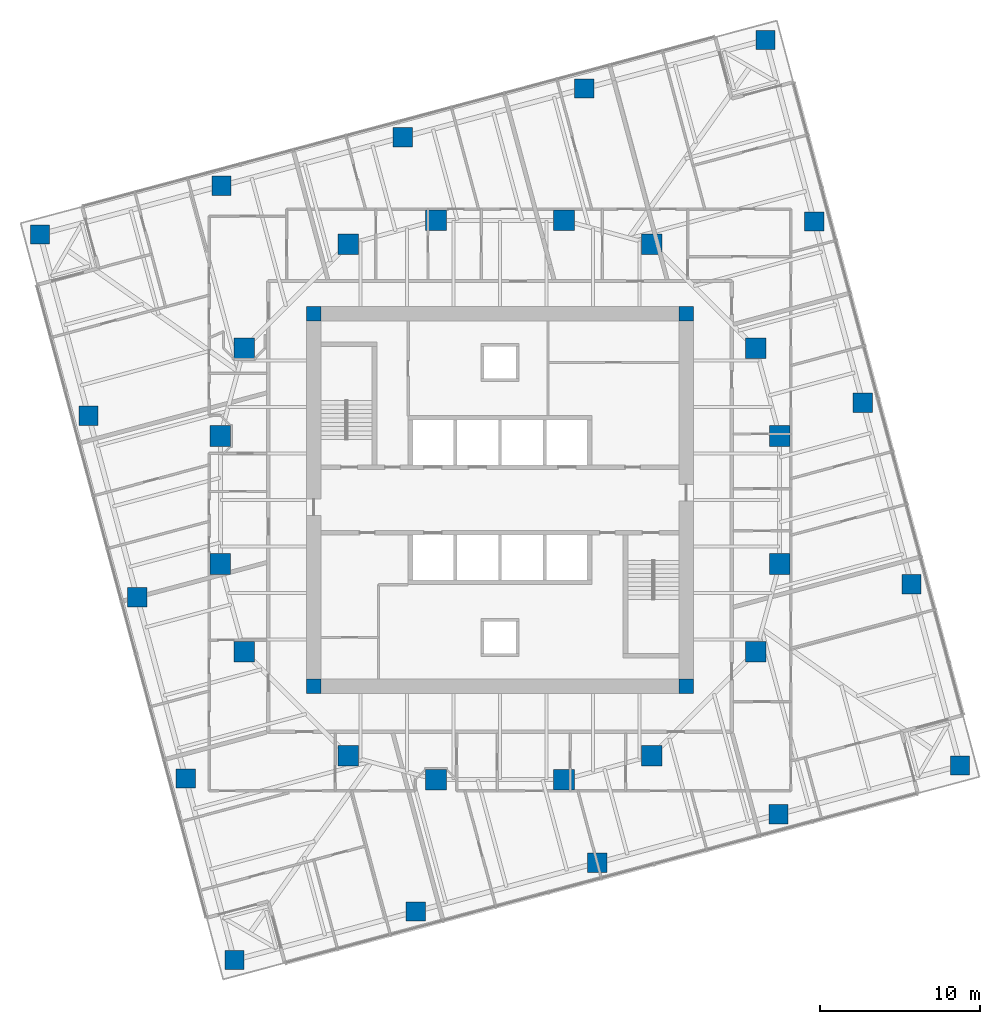
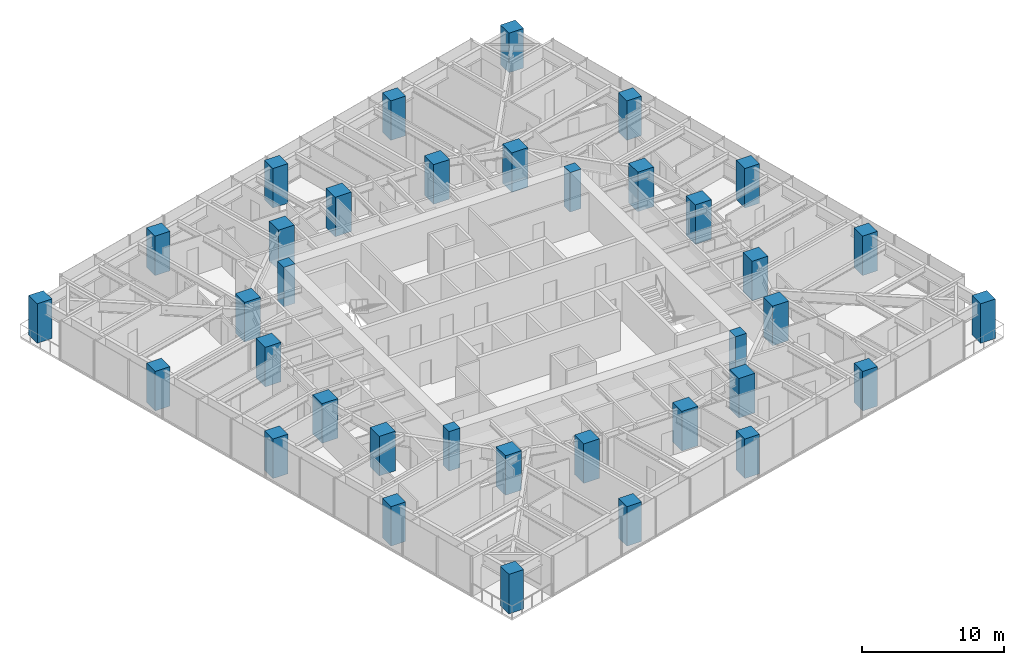
# One storey, part 1 of 15: 36 columns.
"""IFC4 building model written with IfcOpenShell, lengths in metres."""

import ifcopenshell
import ifcopenshell.guid

model = None  # the IFC model being written
_history = None  # IfcOwnerHistory: only IFC2X3 demands one
_inside = {}  # id of a spatial element -> (the spatial element, [elements in it])
_under = {}  # id of a project, library or spatial element -> (it, [spatial elements below it])
_declared = {}  # id of a project -> (the project, [libraries it declares])
_typed = {}  # id of a type object -> (the type object, [elements of that type])
_made_of = {}  # id of a material, layer set ... -> (it, [elements and type objects made of it])


def new_model(schema):
    """Start an empty IFC model of exactly this schema.

    Asked for "IFC4X3", IfcOpenShell would pick the latest addendum, in which some entities
    have other attributes; the version numbers below select the first issue.
    IFC2X3 requires an IfcOwnerHistory on every rooted entity: one is made here for all.
    """
    global model, _history
    if schema == "IFC4X3":
        model = ifcopenshell.file(schema_version=(4, 3, 0, 0))
    else:
        model = ifcopenshell.file(schema=schema)
    _inside.clear()
    _under.clear()
    _declared.clear()
    _typed.clear()
    _made_of.clear()
    _history = None
    if model.schema == "IFC2X3":
        org = make("IfcOrganization", Name="unknown")
        user = make(
            "IfcPersonAndOrganization",
            ThePerson=make("IfcPerson", FamilyName="unknown"),
            TheOrganization=org,
        )
        app = make(
            "IfcApplication",
            ApplicationDeveloper=org,
            Version="unknown",
            ApplicationFullName="unknown",
            ApplicationIdentifier="unknown",
        )
        _history = make(
            "IfcOwnerHistory",
            OwningUser=user,
            OwningApplication=app,
            ChangeAction="ADDED",
            CreationDate=0,
        )
    return model


def make(cls, **values):
    """One entity of the class cls with the attributes given. An attribute that is None is left unset."""
    return model.create_entity(
        cls, **{name: value for name, value in values.items() if value is not None}
    )


def rooted(cls, **values):
    """An entity with a GlobalId (a new one), such as an element, a storey or a relation."""
    return make(cls, GlobalId=ifcopenshell.guid.new(), OwnerHistory=_history, **values)


def si_unit(unit_type, name, prefix=None):
    """IfcSIUnit, for example si_unit("LENGTHUNIT", "METRE", prefix="MILLI")."""
    return make("IfcSIUnit", UnitType=unit_type, Prefix=prefix, Name=name)


def assignment(units):
    """IfcUnitAssignment: the units of a project."""
    return None if units is None else make("IfcUnitAssignment", Units=units)


def point(xyz):
    """IfcCartesianPoint."""
    return None if xyz is None else make("IfcCartesianPoint", Coordinates=xyz)


def direction(xyz):
    """IfcDirection."""
    return None if xyz is None else make("IfcDirection", DirectionRatios=xyz)


def frame(location, z_axis=None, x_axis=None):
    """IfcAxis2Placement3D, a coordinate frame: its origin and axes. An axis left out is left unset."""
    return make(
        "IfcAxis2Placement3D",
        Location=point(location),
        Axis=direction(z_axis),
        RefDirection=direction(x_axis),
    )


def frame_2d(location, x_axis=None):
    """IfcAxis2Placement2D, a coordinate frame in the plane: its origin and x axis."""
    return make(
        "IfcAxis2Placement2D", Location=point(location), RefDirection=direction(x_axis)
    )


def origin():
    """The frame at (0, 0, 0) with its axes left unset."""
    return frame((0.0, 0.0, 0.0))


def origin_2d():
    """The frame at (0, 0) in the plane with its x axis left unset."""
    return frame_2d((0.0, 0.0))


def place(relative_to, where):
    """IfcLocalPlacement: puts the frame where relative to a parent placement (None: the world)."""
    return make(
        "IfcLocalPlacement", PlacementRelTo=relative_to, RelativePlacement=where
    )


def context(
    kind, dimensions, precision=None, world=None, true_north=None, identifier=None
):
    """IfcGeometricRepresentationContext, for example the 3D "Model" context."""
    return make(
        "IfcGeometricRepresentationContext",
        ContextIdentifier=identifier,
        ContextType=kind,
        CoordinateSpaceDimension=dimensions,
        Precision=precision,
        WorldCoordinateSystem=world,
        TrueNorth=true_north,
    )


def subcontext(parent, identifier, kind, view, scale=None):
    """IfcGeometricRepresentationSubContext, for example "Body" below "Model"."""
    return make(
        "IfcGeometricRepresentationSubContext",
        ContextIdentifier=identifier,
        ContextType=kind,
        ParentContext=parent,
        TargetScale=scale,
        TargetView=view,
    )


def project(units=None, contexts=None):
    """IfcProject with its units and contexts."""
    return rooted(
        "IfcProject",
        Name="project",
        RepresentationContexts=contexts,
        UnitsInContext=assignment(units),
    )


def spatial(cls, under=None, at=None, **own):
    """A site, building, storey or space (cls), placed at a placement, below another one or the project."""
    s = rooted(cls, ObjectPlacement=at, **own)
    if under is not None:
        _under.setdefault(under.id(), (under, []))[1].append(s)
    return s


def profile(cls, at=None, kind="AREA", **sizes):
    """A parametric profile (cls). Its sizes go by their IFC names, for example OverallWidth=200.0."""
    return make(cls, ProfileType=kind, Position=at, **sizes)


def rectangle(**sizes):
    """IfcRectangleProfileDef."""
    return profile("IfcRectangleProfileDef", **sizes)


def extrude(swept, where, along, depth):
    """IfcExtrudedAreaSolid: the profile swept, set in the frame where, extruded along a direction by depth."""
    return make(
        "IfcExtrudedAreaSolid",
        SweptArea=swept,
        Position=where,
        ExtrudedDirection=direction(along),
        Depth=depth,
    )


def shape(context_of_items, identifier, shape_type, items):
    """IfcShapeRepresentation: the items that make up one representation, for example the "Body"."""
    return make(
        "IfcShapeRepresentation",
        ContextOfItems=context_of_items,
        RepresentationIdentifier=identifier,
        RepresentationType=shape_type,
        Items=items,
    )


def material(Name=None, Category=None):
    """IfcMaterial."""
    return make("IfcMaterial", Name=Name, Category=Category)


def material_profile(
    of_material, cross_section, Name=None, Category=None, Priority=None
):
    """IfcMaterialProfile: a cross section and its material."""
    return make(
        "IfcMaterialProfile",
        Name=Name,
        Material=of_material,
        Profile=cross_section,
        Priority=Priority,
        Category=Category,
    )


def profile_set(profiles, Name=None, composite=None):
    """IfcMaterialProfileSet."""
    return make(
        "IfcMaterialProfileSet",
        Name=Name,
        MaterialProfiles=profiles,
        CompositeProfile=composite,
    )


def made_of(thing, what):
    """Note that an element or type object is made of a material, layer set ...; save() writes the relation."""
    if what is not None:
        _made_of.setdefault(what.id(), (what, []))[1].append(thing)
    return thing


def type_object(cls, material=None, **own):
    """A type object (cls), such as IfcWallType, which elements share."""
    return made_of(rooted(cls, **own), material)


def element(
    cls,
    number,
    at=None,
    inside=None,
    cuts=None,
    type_object=None,
    material=None,
    context=None,
    identifier="Body",
    shape_type=None,
    held_by="IfcProductDefinitionShape",
    body=None,
    shapes=None,
    **own,
):
    """One element of the class cls, such as IfcWall. Its Tag is "e" and its number.

    at: its placement. inside: the storey or other place that contains it. cuts: it is an
    opening in that element (IfcRelVoidsElement). A single representation is given by context,
    identifier, shape_type and body (its items); several are given by shapes. held_by: the class
    of the entity that holds the representations. save() writes the other relations.
    """
    e = rooted(cls, Tag="e%d" % number, ObjectPlacement=at, **own)
    if body is not None:
        shapes = [shape(context, identifier, shape_type, body)]
    if shapes is not None:
        e.Representation = make(held_by, Representations=shapes)
    if inside is not None:
        _inside.setdefault(inside.id(), (inside, []))[1].append(e)
    if cuts is not None:
        rooted(
            "IfcRelVoidsElement", RelatingBuildingElement=cuts, RelatedOpeningElement=e
        )
    if type_object is not None:
        _typed.setdefault(type_object.id(), (type_object, []))[1].append(e)
    return made_of(e, material)


def aggregate(whole, parts):
    """IfcRelAggregates: a whole, such as a stair, and the parts it consists of."""
    return rooted("IfcRelAggregates", RelatingObject=whole, RelatedObjects=parts)


def save(model, path):
    """Write the relations noted so far, then the file.

    IfcRelAggregates (storeys below a building ...), IfcRelContainedInSpatialStructure (elements
    in a storey), IfcRelDefinesByType, IfcRelAssociatesMaterial and IfcRelDeclares: one each for
    every whole, place, type object, material and project.
    """
    for whole, parts in _under.values():
        aggregate(whole, parts)
    for where, things in _inside.values():
        rooted(
            "IfcRelContainedInSpatialStructure",
            RelatedElements=things,
            RelatingStructure=where,
        )
    for kind, things in _typed.values():
        rooted("IfcRelDefinesByType", RelatedObjects=things, RelatingType=kind)
    for what, things in _made_of.values():
        rooted("IfcRelAssociatesMaterial", RelatedObjects=things, RelatingMaterial=what)
    for by, libraries in _declared.values():
        rooted("IfcRelDeclares", RelatingContext=by, RelatedDefinitions=libraries)
    model.write(path)


model = new_model("IFC4")

# Units and contexts
model_context = context("Model", 3, precision=1e-05, world=origin(), true_north=direction((0.0, 1.0)))
body_context = subcontext(model_context, "Body", "Model", "MODEL_VIEW")
ifc_project = project(units=[si_unit("LENGTHUNIT", "METRE"), si_unit("AREAUNIT", "SQUARE_METRE"), si_unit("VOLUMEUNIT", "CUBIC_METRE"), si_unit("PLANEANGLEUNIT", "RADIAN"), si_unit("MASSUNIT", "GRAM", prefix="KILO")], contexts=[model_context])

# Site, building, storey
site_placement = place(None, origin())
site = spatial("IfcSite", under=ifc_project, at=site_placement, CompositionType="ELEMENT")
building_placement = place(site_placement, origin())
building = spatial("IfcBuilding", under=site, at=building_placement, Name="Torsade Residences", CompositionType="ELEMENT")
storey_placement = place(building_placement, frame((0.0, 0.0, 132.0)))
storey = spatial("IfcBuildingStorey", under=building, at=storey_placement, Name="L36", CompositionType="ELEMENT", Elevation=132.0)

# Columns
ifc_material_1 = material(Name="Concrete 80 MPa", Category="concrete")
ifc_material_profile_1 = material_profile(ifc_material_1, rectangle(XDim=0.89990234375, YDim=0.89990234375, at=origin_2d()), Name="RC 900x900")
ifc_profile_set_1 = profile_set([ifc_material_profile_1], Name="Concrete 80 MPa")
column_type_1 = type_object("IfcColumnType", Name="CORE CORNER COLUMN RC 900x900", PredefinedType="COLUMN", material=ifc_profile_set_1)
for number, where, z_axis, x_axis, name in (
    (1, (28.35009765625, 18.35009765625, 0.0), (0.0, 0.0, 1.0), (1.0, 0.0, 0.0), "Core corner column CC1 L36"),
    (2, (51.64990234375, 18.35009765625, 0.0), (0.0, 0.0, 1.0), (1.0, 0.0, 0.0), "Core corner column CC2 L36"),
    (3, (51.64990234375, 41.64990234375, 0.0), (0.0, 0.0, 1.0), (1.0, 0.0, 0.0), "Core corner column CC3 L36"),
    (4, (28.35009765625, 41.64990234375, 0.0), (0.0, 0.0, 1.0), (1.0, 0.0, 0.0), "Core corner column CC4 L36"),
):
    element("IfcColumn", number, at=place(storey_placement, frame(where, z_axis=z_axis, x_axis=x_axis)), inside=storey, type_object=column_type_1, Name=name, PredefinedType="COLUMN", context=body_context, shape_type="SweptSolid", body=[
        extrude(rectangle(XDim=0.89990234375, YDim=0.89990234375, at=origin_2d()), origin(), (0.0, 0.0, 1.0), 3.39990234375),
    ])
ifc_material_2 = material(Name="Concrete 80 MPa", Category="concrete")
ifc_material_profile_2 = material_profile(ifc_material_2, rectangle(XDim=1.300048828125, YDim=1.300048828125, at=origin_2d()), Name="RC 1300x1300")
ifc_profile_set_2 = profile_set([ifc_material_profile_2], Name="Concrete 80 MPa")
column_type_2 = type_object("IfcColumnType", Name="INNER RING COLUMN RC 1300x1300", PredefinedType="COLUMN", material=ifc_profile_set_2)
for number, where, z_axis, x_axis, name in (
    (5, (57.5, 26.0, 0.0), (0.0, 0.0, 1.0), (1.0, 0.0, 0.0), "Inner ring column IR01 L36"),
    (6, (57.5, 34.0, 0.0), (0.0, 0.0, 1.0), (1.0, 0.0, 0.0), "Inner ring column IR02 L36"),
    (7, (56.0, 39.5, 0.0), (0.0, 0.0, 1.0), (1.0, 0.0, 0.0), "Inner ring column IR03 L36"),
    (8, (49.5, 46.0, 0.0), (0.0, 0.0, 1.0), (1.0, 0.0, 0.0), "Inner ring column IR04 L36"),
    (9, (44.0, 47.5, 0.0), (0.0, 0.0, 1.0), (1.0, 0.0, 0.0), "Inner ring column IR05 L36"),
    (10, (36.0, 47.5, 0.0), (0.0, 0.0, 1.0), (1.0, 0.0, 0.0), "Inner ring column IR06 L36"),
    (11, (30.5, 46.0, 0.0), (0.0, 0.0, 1.0), (1.0, 0.0, 0.0), "Inner ring column IR07 L36"),
    (12, (24.0, 39.5, 0.0), (0.0, 0.0, 1.0), (1.0, 0.0, 0.0), "Inner ring column IR08 L36"),
    (13, (22.5, 34.0, 0.0), (0.0, 0.0, 1.0), (1.0, 0.0, 0.0), "Inner ring column IR09 L36"),
    (14, (22.5, 26.0, 0.0), (0.0, 0.0, 1.0), (1.0, 0.0, 0.0), "Inner ring column IR10 L36"),
    (15, (24.0, 20.5, 0.0), (0.0, 0.0, 1.0), (1.0, 0.0, 0.0), "Inner ring column IR11 L36"),
    (16, (30.5, 14.0, 0.0), (0.0, 0.0, 1.0), (1.0, 0.0, 0.0), "Inner ring column IR12 L36"),
    (17, (36.0, 12.5, 0.0), (0.0, 0.0, 1.0), (1.0, 0.0, 0.0), "Inner ring column IR13 L36"),
    (18, (44.0, 12.5, 0.0), (0.0, 0.0, 1.0), (1.0, 0.0, 0.0), "Inner ring column IR14 L36"),
    (19, (49.5, 14.0, 0.0), (0.0, 0.0, 1.0), (1.0, 0.0, 0.0), "Inner ring column IR15 L36"),
    (20, (56.0, 20.5, 0.0), (0.0, 0.0, 1.0), (1.0, 0.0, 0.0), "Inner ring column IR16 L36"),
):
    element("IfcColumn", number, at=place(storey_placement, frame(where, z_axis=z_axis, x_axis=x_axis)), inside=storey, type_object=column_type_2, Name=name, PredefinedType="COLUMN", context=body_context, shape_type="SweptSolid", body=[
        extrude(rectangle(XDim=1.300048828125, YDim=1.300048828125, at=origin_2d()), origin(), (0.0, 0.0, 1.0), 3.39990234375),
    ])
ifc_material_3 = material(Name="Concrete 80 MPa", Category="concrete")
ifc_material_profile_3 = material_profile(ifc_material_3, rectangle(XDim=1.199951171875, YDim=1.199951171875, at=origin_2d()), Name="RC 1200x1200")
ifc_profile_set_3 = profile_set([ifc_material_profile_3], Name="Concrete 80 MPa")
column_type_3 = type_object("IfcColumnType", Name="TOWER COLUMN RC 1200x1200", PredefinedType="COLUMN", material=ifc_profile_set_3)
for number, where, z_axis, x_axis, name in (
    (21, (23.383056640625, 1.218505859375, 0.0), (0.0, 0.0, 1.0), (1.0, 0.0, 0.0), "Column TC4-01 L36"),
    (22, (34.732666015625, 4.259521484375, 0.0), (0.0, 0.0, 1.0), (1.0, 0.0, 0.0), "Column TC4-02 L36"),
    (23, (46.082275390625, 7.30078125, 0.0), (0.0, 0.0, 1.0), (1.0, 0.0, 0.0), "Column TC4-03 L36"),
    (24, (57.431884765625, 10.341796875, 0.0), (0.0, 0.0, 1.0), (1.0, 0.0, 0.0), "Column TC4-04 L36"),
    (25, (68.781494140625, 13.383056640625, 0.0), (0.0, 0.0, 1.0), (1.0, 0.0, 0.0), "Column TC4-05 L36"),
    (26, (65.740478515625, 24.732666015625, 0.0), (0.0, 0.0, 1.0), (1.0, 0.0, 0.0), "Column TC4-06 L36"),
    (27, (62.69921875, 36.082275390625, 0.0), (0.0, 0.0, 1.0), (1.0, 0.0, 0.0), "Column TC4-07 L36"),
    (28, (59.658203125, 47.431884765625, 0.0), (0.0, 0.0, 1.0), (1.0, 0.0, 0.0), "Column TC4-08 L36"),
    (29, (56.616943359375, 58.781494140625, 0.0), (0.0, 0.0, 1.0), (1.0, 0.0, 0.0), "Column TC4-09 L36"),
    (30, (45.267333984375, 55.740478515625, 0.0), (0.0, 0.0, 1.0), (1.0, 0.0, 0.0), "Column TC4-10 L36"),
    (31, (33.917724609375, 52.69921875, 0.0), (0.0, 0.0, 1.0), (1.0, 0.0, 0.0), "Column TC4-11 L36"),
    (32, (22.568115234375, 49.658203125, 0.0), (0.0, 0.0, 1.0), (1.0, 0.0, 0.0), "Column TC4-12 L36"),
    (33, (11.218505859375, 46.616943359375, 0.0), (0.0, 0.0, 1.0), (1.0, 0.0, 0.0), "Column TC4-13 L36"),
    (34, (14.259521484375, 35.267333984375, 0.0), (0.0, 0.0, 1.0), (1.0, 0.0, 0.0), "Column TC4-14 L36"),
    (35, (17.30078125, 23.917724609375, 0.0), (0.0, 0.0, 1.0), (1.0, 0.0, 0.0), "Column TC4-15 L36"),
    (36, (20.341796875, 12.568115234375, 0.0), (0.0, 0.0, 1.0), (1.0, 0.0, 0.0), "Column TC4-16 L36"),
):
    element("IfcColumn", number, at=place(storey_placement, frame(where, z_axis=z_axis, x_axis=x_axis)), inside=storey, type_object=column_type_3, Name=name, PredefinedType="COLUMN", context=body_context, shape_type="SweptSolid", body=[
        extrude(rectangle(XDim=1.199951171875, YDim=1.199951171875, at=origin_2d()), origin(), (0.0, 0.0, 1.0), 3.39990234375),
    ])

save(model, "model.ifc")
